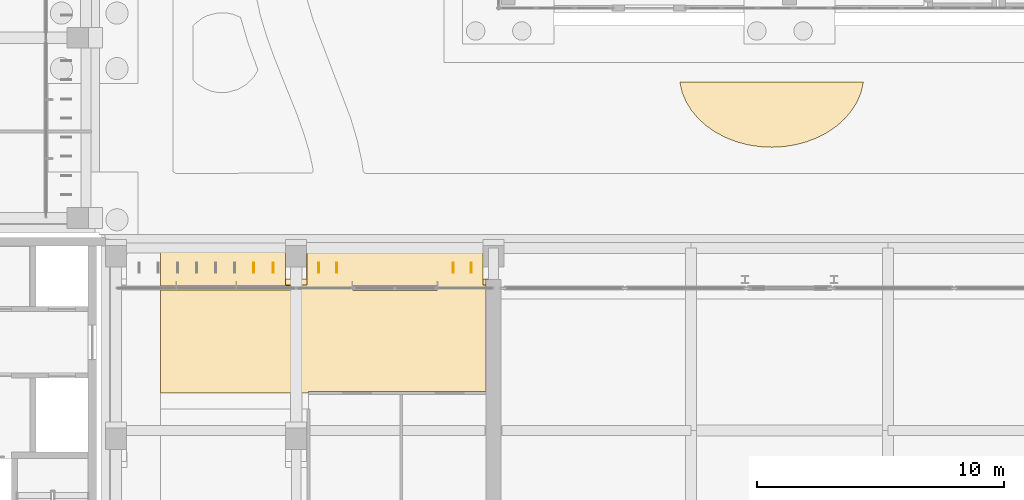
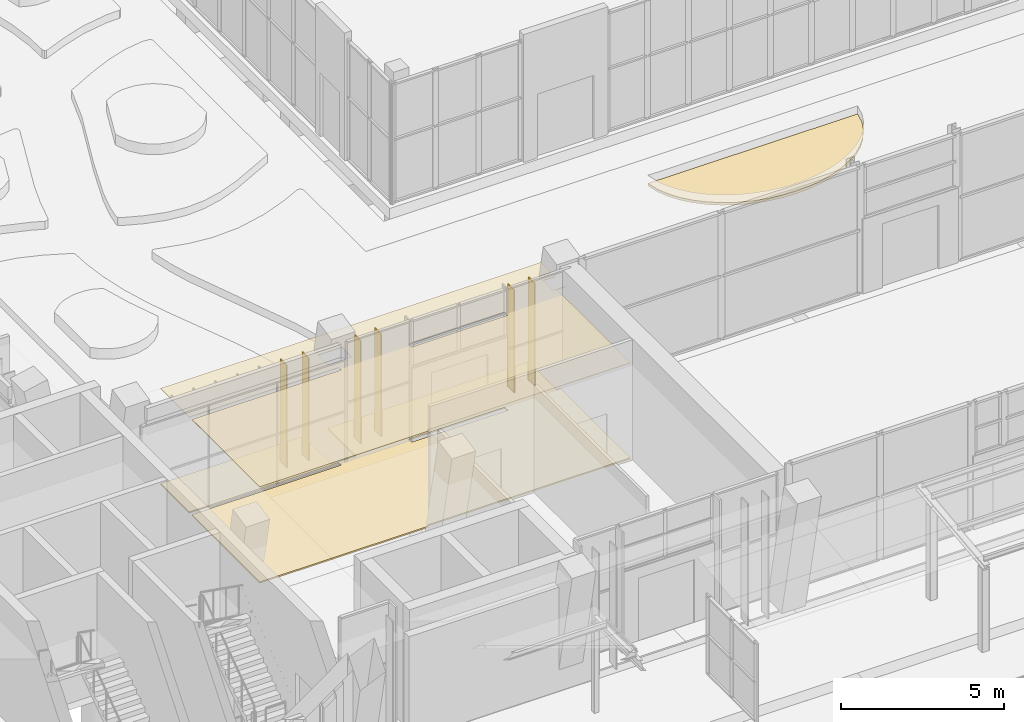
# One storey, part 129 of 144: 6 shading devices, 3 coverings.
"""IFC4 building model written with IfcOpenShell, lengths in metres."""

from ifc_helpers import new_model, si_unit, direction, frame, origin, origin_2d, place, context, subcontext, project, spatial, polyline, rectangle, outline, extrude, material, layer, layer_set, type_object, element, save


model = new_model("IFC4")

# Units and contexts
model_context = context("Model", 3, precision=1e-05, world=origin(), true_north=direction((0.0, 1.0)))
body_context = subcontext(model_context, "Body", "Model", "MODEL_VIEW")
ifc_project = project(units=[si_unit("LENGTHUNIT", "METRE"), si_unit("AREAUNIT", "SQUARE_METRE"), si_unit("VOLUMEUNIT", "CUBIC_METRE"), si_unit("PLANEANGLEUNIT", "RADIAN"), si_unit("MASSUNIT", "GRAM", prefix="KILO")], contexts=[model_context])

# Site, building, storey
site_placement = place(None, origin())
site = spatial("IfcSite", under=ifc_project, at=site_placement, CompositionType="ELEMENT")
building_placement = place(site_placement, origin())
building = spatial("IfcBuilding", under=site, at=building_placement, Name="Lantern Court Media Centre", CompositionType="ELEMENT")
storey_placement = place(building_placement, origin())
storey = spatial("IfcBuildingStorey", under=building, at=storey_placement, Name="L00", CompositionType="ELEMENT", Elevation=0.0)

# Coverings
ifc_material_1 = material(Name="Limestone paving slab", Category="masonry")
ifc_layer_1 = layer(ifc_material_1, 0.10009765625)
ifc_layer_set_1 = layer_set([ifc_layer_1], Name="Limestone paving slab")
covering_type_1 = type_object("IfcCoveringType", Name="Court paving 100", PredefinedType="FLOORING", material=ifc_layer_set_1)
covering_1_placement = place(storey_placement, frame((0.0, 0.0, -0.10009765625)))
element("IfcCovering", 1, at=covering_1_placement, inside=storey, type_object=covering_type_1, Name="Court paving", PredefinedType="FLOORING", context=body_context, shape_type="SweptSolid", body=[
    extrude(outline(polyline([(54.739013671875, 69.39697265625), (54.52197265625, 69.047119140625), (54.2490234375, 68.72412109375), (53.926025390625, 68.430908203125), (53.556884765625, 68.174072265625), (53.14892578125, 67.9580078125), (52.708984375, 67.784912109375), (52.2451171875, 67.659912109375), (51.763916015625, 67.583984375), (51.27392578125, 67.55908203125), (50.784912109375, 67.583984375), (50.303955078125, 67.659912109375), (49.839111328125, 67.784912109375), (49.39892578125, 67.9580078125), (48.991943359375, 68.174072265625), (48.623046875, 68.430908203125), (48.299072265625, 68.72412109375), (48.027099609375, 69.047119140625), (47.81005859375, 69.39697265625), (47.652099609375, 69.764892578125), (47.552001953125, 70.199951171875), (54.9970703125, 70.199951171875), (54.89697265625, 69.764892578125), (54.739013671875, 69.39697265625)])), origin(), (0.0, 0.0, 1.0), 0.10009765625),
])
ifc_material_2 = material(Name="Mineral fibre ceiling tile")
ifc_layer_2 = layer(ifc_material_2, 0.02001953125)
ifc_layer_set_2 = layer_set([ifc_layer_2], Name="Mineral fibre ceiling tile")
covering_type_2 = type_object("IfcCoveringType", Name="Suspended ceiling tile", PredefinedType="CEILING", material=ifc_layer_set_2)
covering_2_placement = place(storey_placement, frame((0.0, 0.0, 3.60009765625)))
element("IfcCovering", 2, at=covering_2_placement, inside=storey, type_object=covering_type_2, Name="Foyer Gallery ceiling", PredefinedType="CEILING", context=body_context, shape_type="SweptSolid", body=[
    extrude(outline(polyline([(40.0, 62.200439453125), (39.699462890625, 62.199951171875), (39.699462890625, 57.6630859375), (32.5, 57.6630859375), (32.49951171875, 57.60009765625), (26.5, 57.60009765625), (26.5, 61.7744140625), (31.800537109375, 61.77490234375), (31.800048828125, 61.925537109375), (26.5, 61.925537109375), (26.5, 63.699951171875), (40.0, 63.699951171875), (40.0, 63.073486328125), (39.574462890625, 63.072998046875), (39.574951171875, 62.974609375), (40.0, 62.974609375), (40.0, 62.825439453125), (39.574462890625, 62.8251953125), (39.574462890625, 62.22265625), (40.0, 62.222412109375), (40.0, 62.200439453125)]), holes=[polyline([(34.300048828125, 61.9404296875), (34.300048828125, 61.759521484375), (37.700439453125, 61.760009765625), (37.699951171875, 61.9404296875), (34.300048828125, 61.9404296875)]), polyline([(32.425048828125, 62.222412109375), (32.42529296875, 62.825439453125), (31.574462890625, 62.8251953125), (31.57470703125, 62.222412109375), (32.425048828125, 62.222412109375)]), polyline([(32.425048828125, 62.974609375), (32.425048828125, 63.073486328125), (31.574462890625, 63.072998046875), (31.574951171875, 62.974609375), (32.425048828125, 62.974609375)])]), origin(), (0.0, 0.0, 1.0), 0.02001953125),
])
ifc_material_3 = material(Name="Terrazzo")
ifc_layer_3 = layer(ifc_material_3, 0.050048828125)
ifc_layer_set_3 = layer_set([ifc_layer_3], Name="Terrazzo")
covering_type_3 = type_object("IfcCoveringType", Name="Terrazzo floor finish", PredefinedType="FLOORING", material=ifc_layer_set_3)
covering_3_placement = place(storey_placement, origin())
element("IfcCovering", 3, at=covering_3_placement, inside=storey, type_object=covering_type_3, Name="Foyer Gallery floor finish", PredefinedType="FLOORING", context=body_context, shape_type="SweptSolid", body=[
    extrude(outline(polyline([(39.570068359375, 63.699951171875), (39.570068359375, 61.974609375), (39.695068359375, 61.969970703125), (39.695068359375, 57.66748046875), (32.5, 57.66748046875), (32.4951171875, 57.60009765625), (26.5, 57.60009765625), (26.5, 61.77001953125), (31.804931640625, 61.77490234375), (31.800048828125, 61.929931640625), (26.5, 61.929931640625), (26.5, 63.699951171875), (31.570068359375, 63.699951171875), (31.574951171875, 61.969970703125), (32.429443359375, 61.97265625), (32.429931640625, 63.699951171875), (39.570068359375, 63.699951171875)]), holes=[polyline([(34.300048828125, 61.945068359375), (34.299560546875, 61.755126953125), (37.705078125, 61.759521484375), (37.700439453125, 61.945068359375), (34.300048828125, 61.945068359375)])]), origin(), (0.0, 0.0, 1.0), 0.050048828125),
])

# Shading devices
ifc_material_4 = material(Name="Bronze anodised aluminium louvre", Category="aluminium")
ifc_layer_4 = layer(ifc_material_4, 0.0400390625)
ifc_layer_set_4 = layer_set([ifc_layer_4], Name="Bronze anodised aluminium louvre")
shading_device_type = type_object("IfcShadingDeviceType", Name="Vertical louvre 40x400 under beam", PredefinedType="USERDEFINED", material=ifc_layer_set_4)
for number, where, z_axis, x_axis, name in (
    (4, (30.28759765625, 62.679931640625, 0.0), (0.0, 0.0, 1.0), (1.0, 0.0, 0.0), "Vertical louvre S inner L00"),
    (5, (31.0625, 62.679931640625, 0.0), (0.0, 0.0, 1.0), (1.0, 0.0, 0.0), "Vertical louvre S inner L00"),
    (6, (32.91259765625, 62.679931640625, 0.0), (0.0, 0.0, 1.0), (1.0, 0.0, 0.0), "Vertical louvre S inner L00"),
    (7, (33.637451171875, 62.679931640625, 0.0), (0.0, 0.0, 1.0), (1.0, 0.0, 0.0), "Vertical louvre S inner L00"),
    (8, (38.362548828125, 62.679931640625, 0.0), (0.0, 0.0, 1.0), (1.0, 0.0, 0.0), "Vertical louvre S inner L00"),
    (9, (39.08740234375, 62.679931640625, 0.0), (0.0, 0.0, 1.0), (1.0, 0.0, 0.0), "Vertical louvre S inner L00"),
):
    element("IfcShadingDevice", number, at=place(storey_placement, frame(where, z_axis=z_axis, x_axis=x_axis)), inside=storey, type_object=shading_device_type, Name=name, ObjectType="VERTICAL LOUVRE", PredefinedType="USERDEFINED", context=body_context, shape_type="SweptSolid", body=[
        extrude(rectangle(XDim=0.0400390625, YDim=0.39990234375, at=origin_2d()), origin(), (0.0, 0.0, 1.0), 3.89990234375),
    ])

save(model, "model.ifc")
